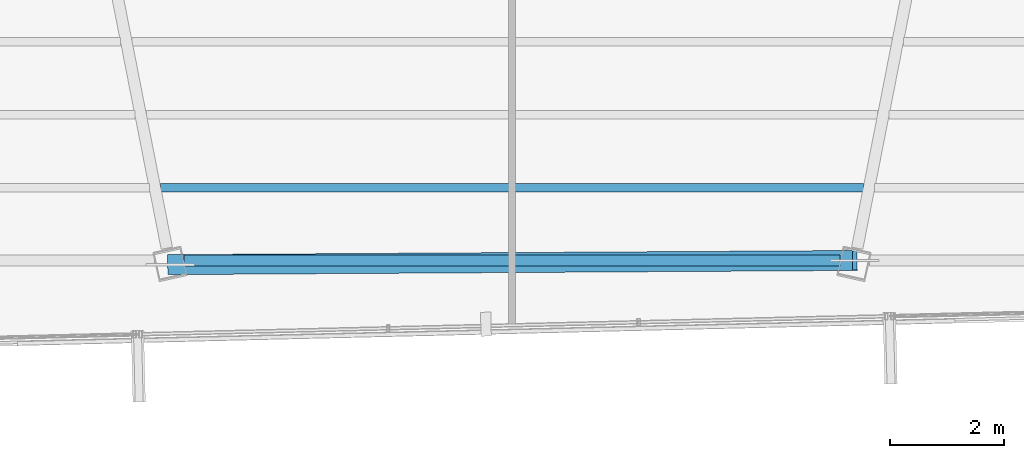
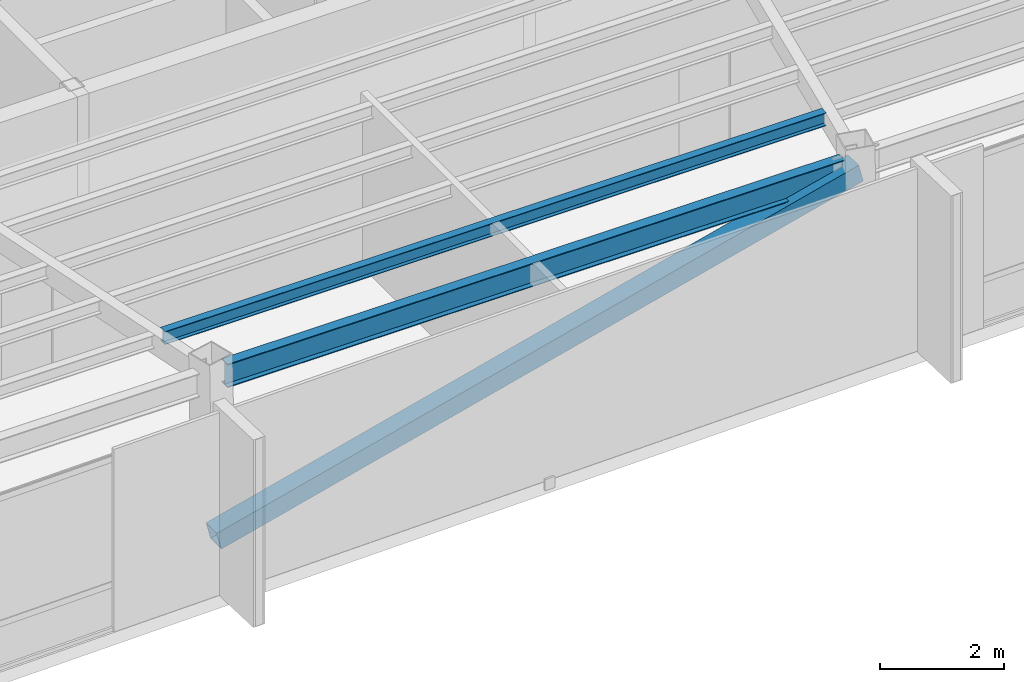
# One storey, part 14 of 45: 2 beams, 1 member.
"""IFC4 building model written with IfcOpenShell, lengths in metres."""

from ifc_helpers import new_model, si_unit, direction, frame, origin, origin_2d, place, context, subcontext, project, spatial, hollow_rectangle, i_section, extrude, source, transform, mapped, material, material_profile, profile_set, type_object, type_shapes, element, save


model = new_model("IFC4")

# Units and contexts
model_context = context("Model", 3, precision=1e-05, world=origin(), true_north=direction((0.0, 1.0)))
body_context = subcontext(model_context, "Body", "Model", "MODEL_VIEW")
ifc_project = project(units=[si_unit("LENGTHUNIT", "METRE"), si_unit("AREAUNIT", "SQUARE_METRE"), si_unit("VOLUMEUNIT", "CUBIC_METRE"), si_unit("PLANEANGLEUNIT", "RADIAN"), si_unit("MASSUNIT", "GRAM", prefix="KILO")], contexts=[model_context])

# Site, building, storey
site_placement = place(None, origin())
site = spatial("IfcSite", under=ifc_project, at=site_placement, CompositionType="ELEMENT")
building_placement = place(site_placement, origin())
building = spatial("IfcBuilding", under=site, at=building_placement, Name="Caelisora Broadcast Tower", CompositionType="ELEMENT")
storey_placement = place(building_placement, frame((0.0, 0.0, 273.64990234375)))
storey = spatial("IfcBuildingStorey", under=building, at=storey_placement, Name="L72", CompositionType="ELEMENT", Elevation=273.64990234375)

# Beams
ifc_material_1 = material(Name="Steel Grade 350 (AS/NZS 3679.1)", Category="steel")
ifc_material_profile_1 = material_profile(ifc_material_1, i_section(OverallWidth=0.19091796875, OverallDepth=0.46044921875, WebThickness=0.010009765625, FlangeThickness=0.01611328125, at=origin_2d()), Name="Steel Grade 350 (AS/NZS 3679.1)")
ifc_profile_set_1 = profile_set([ifc_material_profile_1], Name="Steel Grade 350 (AS/NZS 3679.1)")
beam_type_1 = type_object("IfcBeamType", Name="PG06", PredefinedType="BEAM", material=ifc_profile_set_1)
shared_shape_1 = source(origin(), body_context, "Body", "SweptSolid", [
    extrude(i_section(OverallWidth=0.19091796875, OverallDepth=0.46044921875, WebThickness=0.010009765625, FlangeThickness=0.01611328125, at=origin_2d()), origin(), (0.0, 0.0, 1.0), 11.4765625),
])
type_shapes(beam_type_1, [shared_shape_1])
beam_1_placement = place(storey_placement, frame((32.26171875, 9.745849609375, 3.169921875), z_axis=(1.0, 0.0, 0.0), x_axis=(0.0, 1.0, 0.0)))
element("IfcBeam", 1, at=beam_1_placement, inside=storey, type_object=beam_type_1, Name="L72 beam PG06", PredefinedType="BEAM", context=body_context, shape_type="MappedRepresentation", body=[
    mapped(shared_shape_1, transform((0.0, 0.0, 0.0), scale=1.0)),
])
ifc_material_profile_2 = material_profile(ifc_material_1, i_section(OverallWidth=0.14599609375, OverallDepth=0.256103515625, WebThickness=0.00634765625, FlangeThickness=0.010986328125, at=origin_2d()), Name="Steel Grade 350 (AS/NZS 3679.1)")
ifc_profile_set_2 = profile_set([ifc_material_profile_2], Name="Steel Grade 350 (AS/NZS 3679.1)")
beam_type_2 = type_object("IfcBeamType", Name="SB04", PredefinedType="JOIST", material=ifc_profile_set_2)
shared_shape_2 = source(origin(), body_context, "Body", "SweptSolid", [
    extrude(i_section(OverallWidth=0.14599609375, OverallDepth=0.256103515625, WebThickness=0.00634765625, FlangeThickness=0.010986328125, at=origin_2d()), origin(), (0.0, 0.0, 1.0), 12.2998046875),
])
type_shapes(beam_type_2, [shared_shape_2])
beam_2_placement = place(storey_placement, frame((31.85009765625, 11.021484375, 3.27197265625), z_axis=(1.0, 0.0, 0.0), x_axis=(0.0, 1.0, 0.0)))
element("IfcBeam", 2, at=beam_2_placement, inside=storey, type_object=beam_type_2, Name="L72 beam SB04", PredefinedType="JOIST", context=body_context, shape_type="MappedRepresentation", body=[
    mapped(shared_shape_2, transform((0.0, 0.0, 0.0), scale=1.0)),
])

# Member
ifc_material_2 = material(Name="Steel Grade 450 (AS/NZS 1163 C450L0)", Category="steel")
ifc_material_profile_3 = material_profile(ifc_material_2, hollow_rectangle(XDim=0.35009765625, YDim=0.35009765625, WallThickness=0.012451171875, at=origin_2d()), Name="Steel Grade 450 (AS/NZS 1163 C450L0)")
ifc_profile_set_3 = profile_set([ifc_material_profile_3], Name="Steel Grade 450 (AS/NZS 1163 C450L0)")
member_type = type_object("IfcMemberType", Name="BR05", PredefinedType="BRACE", material=ifc_profile_set_3)
shared_shape_3 = source(origin(), body_context, "Body", "SweptSolid", [
    extrude(hollow_rectangle(XDim=0.35009765625, YDim=0.35009765625, WallThickness=0.012451171875, at=origin_2d()), origin(), (0.0, 0.0, 1.0), 12.3505859375),
])
type_shapes(member_type, [shared_shape_3])
member_placement = place(storey_placement, frame((32.017822265625, 9.673583984375, 0.10009765625), z_axis=(0.970032797801, 0.005851192292, 0.242903550281), x_axis=(-0.006031843317, 0.999981808268, 0.0)))
element("IfcMember", 3, at=member_placement, inside=storey, type_object=member_type, Name="L72 perimeter brace BR05", PredefinedType="BRACE", context=body_context, shape_type="MappedRepresentation", body=[
    mapped(shared_shape_3, transform((0.0, 0.0, 0.0), scale=1.0)),
])

save(model, "model.ifc")
